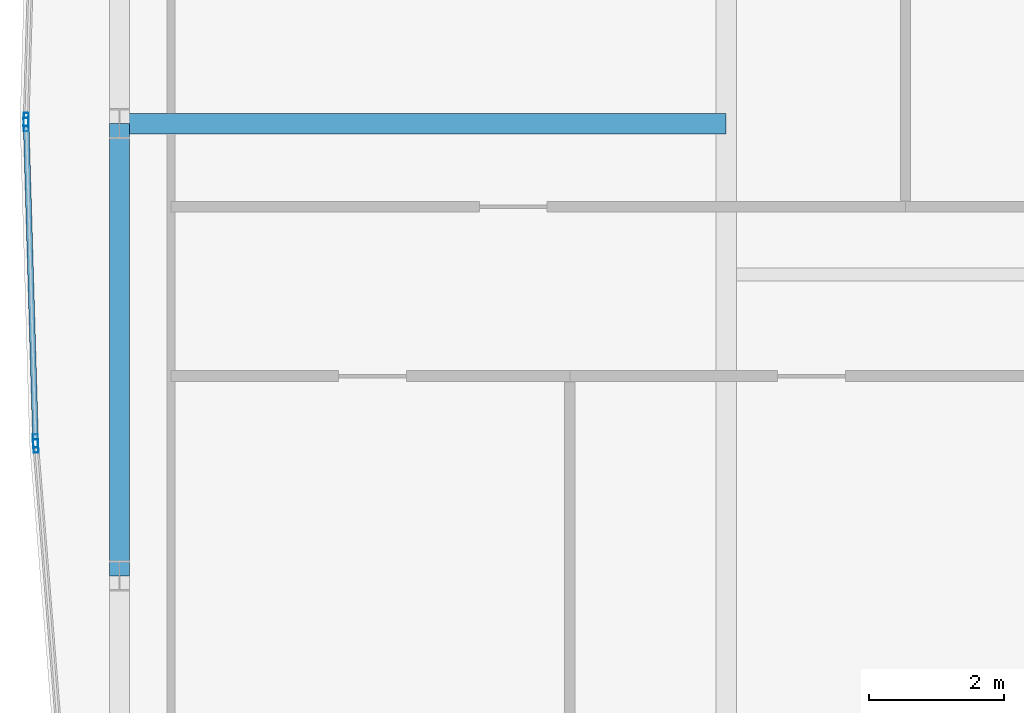
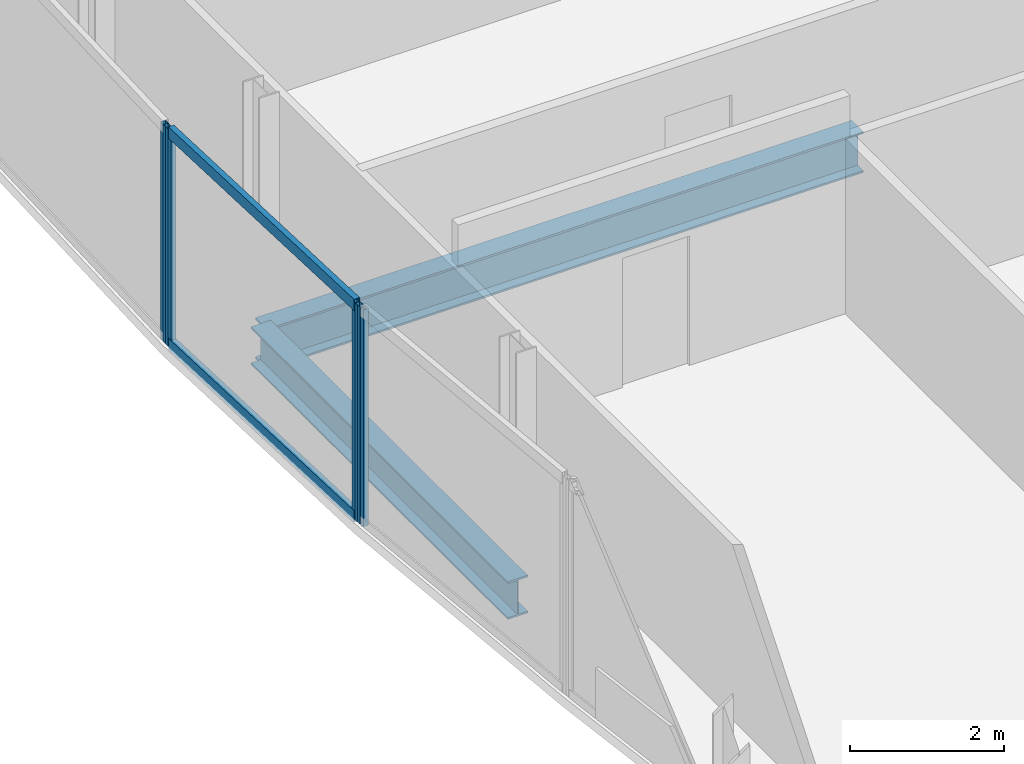
# One storey, part 10 of 29: 6 members, 2 beams, 3 elements without a shape of their own.
"""IFC4 building model written with IfcOpenShell, lengths in metres."""

from ifc_helpers import new_model, si_unit, direction, frame, origin, origin_2d, place, context, subcontext, project, spatial, hollow_rectangle, i_section, extrude, material, material_profile, profile_set, type_object, element, aggregate, save


model = new_model("IFC4")

# Units and contexts
model_context = context("Model", 3, precision=1e-05, world=origin(), true_north=direction((0.0, 1.0)))
body_context = subcontext(model_context, "Body", "Model", "MODEL_VIEW")
ifc_project = project(units=[si_unit("LENGTHUNIT", "METRE"), si_unit("AREAUNIT", "SQUARE_METRE"), si_unit("VOLUMEUNIT", "CUBIC_METRE"), si_unit("PLANEANGLEUNIT", "RADIAN"), si_unit("MASSUNIT", "GRAM", prefix="KILO")], contexts=[model_context])

# Site, building, storey
site_placement = place(None, origin())
site = spatial("IfcSite", under=ifc_project, at=site_placement, CompositionType="ELEMENT")
building_placement = place(site_placement, origin())
building = spatial("IfcBuilding", under=site, at=building_placement, Name="Khoronbel Lancet Exchange", CompositionType="ELEMENT")
storey_placement = place(building_placement, frame((0.0, 0.0, 242.60009765625)))
storey = spatial("IfcBuildingStorey", under=building, at=storey_placement, Name="L62", CompositionType="ELEMENT", Elevation=242.60009765625)

# Beams
ifc_material_1 = material(Name="Steel S355", Category="steel")
ifc_material_profile_1 = material_profile(ifc_material_1, i_section(OverallWidth=0.300048828125, OverallDepth=0.64990234375, WebThickness=0.01611328125, FlangeThickness=0.031005859375, at=origin_2d()), Name="HEB 650")
ifc_profile_set_1 = profile_set([ifc_material_profile_1], Name="Steel S355")
beam_type_1 = type_object("IfcBeamType", Name="BM-BG4", PredefinedType="BEAM", material=ifc_profile_set_1)
beam_1_placement = place(storey_placement, frame((9.27001953125, 31.425048828125, -0.485107421875), z_axis=(1.0, 0.0, 0.0), x_axis=(0.0, 1.0, 0.0)))
element("IfcBeam", 1, at=beam_1_placement, inside=storey, type_object=beam_type_1, Name="Level L62 west lens tie girder LG2W", PredefinedType="BEAM", context=body_context, shape_type="SweptSolid", body=[
    extrude(i_section(OverallWidth=0.300048828125, OverallDepth=0.64990234375, WebThickness=0.01611328125, FlangeThickness=0.031005859375, at=origin_2d()), origin(), (0.0, 0.0, 1.0), 8.955078125),
])
ifc_material_profile_2 = material_profile(ifc_material_1, i_section(OverallWidth=0.300048828125, OverallDepth=0.60009765625, WebThickness=0.015380859375, FlangeThickness=0.030029296875, at=origin_2d()), Name="HEB 600")
ifc_profile_set_2 = profile_set([ifc_material_profile_2], Name="Steel S355")
beam_type_2 = type_object("IfcBeamType", Name="BM-BSP2", PredefinedType="SPANDREL", material=ifc_profile_set_2)
beam_2_placement = place(storey_placement, frame((9.27001953125, 31.425048828125, -0.460205078125), z_axis=(0.0, -1.0, 0.0), x_axis=(1.0, 0.0, 0.0)))
element("IfcBeam", 2, at=beam_2_placement, inside=storey, type_object=beam_type_2, Name="Level L62 perimeter spandrel beam SP19", PredefinedType="SPANDREL", context=body_context, shape_type="SweptSolid", body=[
    extrude(i_section(OverallWidth=0.300048828125, OverallDepth=0.60009765625, WebThickness=0.015380859375, FlangeThickness=0.030029296875, at=origin_2d()), origin(), (0.0, 0.0, 1.0), 6.675048828125),
])

# Curtain wall, member
ifc_material_2 = material(Name="Low-E Solar Control Insulating Glass", Category="glass")
curtain_wall_type = type_object("IfcCurtainWallType", Name="CW-4", PredefinedType="NOTDEFINED", material=ifc_material_2)
curtain_wall_1_placement = place(storey_placement, origin())
curtain_wall_1 = element("IfcCurtainWall", 3, at=curtain_wall_1_placement, inside=storey, type_object=curtain_wall_type, Name="Unitised curtain wall CW-L62-E05", PredefinedType="NOTDEFINED")
ifc_material_3 = material(Name="Bronze-Anodised Aluminium 6063-T6", Category="aluminium")
ifc_material_profile_3 = material_profile(ifc_material_3, hollow_rectangle(XDim=0.074951171875, YDim=0.199951171875, WallThickness=0.0048828125, at=origin_2d()), Name="ALU MULLION 75x200")
ifc_profile_set_3 = profile_set([ifc_material_profile_3], Name="Bronze-Anodised Aluminium 6063-T6")
member_type_1 = type_object("IfcMemberType", Name="MEM-CWM2", PredefinedType="MULLION", material=ifc_profile_set_3)
member_1_placement = place(storey_placement, frame((8.03369140625, 26.667724609375, 0.0), z_axis=(0.0, 0.0, 1.0), x_axis=(-0.996743296731, -0.080639943095, 0.0)))
member_1 = element("IfcMember", 4, at=member_1_placement, type_object=member_type_1, Name="CW4 mullion 2", PredefinedType="MULLION", context=body_context, shape_type="SweptSolid", body=[
    extrude(hollow_rectangle(XDim=0.074951171875, YDim=0.199951171875, WallThickness=0.0048828125, at=origin_2d()), origin(), (0.0, 0.0, 1.0), 3.43994140625),
])
aggregate(curtain_wall_1, [member_1])

# Curtain wall, members
curtain_wall_2_placement = place(storey_placement, origin())
curtain_wall_2 = element("IfcCurtainWall", 5, at=curtain_wall_2_placement, inside=storey, type_object=curtain_wall_type, Name="Unitised curtain wall CW-L62-E06", PredefinedType="NOTDEFINED")
member_2_placement = place(storey_placement, frame((8.029541015625, 26.742431640625, 0.0), z_axis=(0.0, 0.0, 1.0), x_axis=(-0.999561285143, -0.029618191076, 0.0)))
member_2 = element("IfcMember", 6, at=member_2_placement, type_object=member_type_1, Name="CW4 mullion 1", PredefinedType="MULLION", context=body_context, shape_type="SweptSolid", body=[
    extrude(hollow_rectangle(XDim=0.074951171875, YDim=0.199951171875, WallThickness=0.0048828125, at=origin_2d()), origin(), (0.0, 0.0, 1.0), 3.43994140625),
])
member_3_placement = place(storey_placement, frame((7.89111328125, 31.41259765625, 0.0), z_axis=(0.0, 0.0, 1.0), x_axis=(-0.999561285143, -0.029618191076, 0.0)))
member_3 = element("IfcMember", 7, at=member_3_placement, type_object=member_type_1, Name="CW4 mullion 2", PredefinedType="MULLION", context=body_context, shape_type="SweptSolid", body=[
    extrude(hollow_rectangle(XDim=0.074951171875, YDim=0.199951171875, WallThickness=0.0048828125, at=origin_2d()), origin(), (0.0, 0.0, 1.0), 3.43994140625),
])

# Curtain wall, member
curtain_wall_3_placement = place(storey_placement, origin())
curtain_wall_3 = element("IfcCurtainWall", 8, at=curtain_wall_3_placement, inside=storey, type_object=curtain_wall_type, Name="Unitised curtain wall CW-L62-E07", PredefinedType="NOTDEFINED")
member_4_placement = place(storey_placement, frame((7.89111328125, 31.487548828125, 0.0), z_axis=(0.0, 0.0, 1.0), x_axis=(-0.999561285143, 0.029618191076, 0.0)))
member_4 = element("IfcMember", 9, at=member_4_placement, type_object=member_type_1, Name="CW4 mullion 1", PredefinedType="MULLION", context=body_context, shape_type="SweptSolid", body=[
    extrude(hollow_rectangle(XDim=0.074951171875, YDim=0.199951171875, WallThickness=0.0048828125, at=origin_2d()), origin(), (0.0, 0.0, 1.0), 3.43994140625),
])
aggregate(curtain_wall_3, [member_4])

# Member
ifc_material_profile_4 = material_profile(ifc_material_3, hollow_rectangle(XDim=0.0849609375, YDim=0.179931640625, WallThickness=0.0048828125, at=origin_2d()), Name="ALU TRANSOM 85x180")
ifc_profile_set_4 = profile_set([ifc_material_profile_4], Name="Bronze-Anodised Aluminium 6063-T6")
member_type_2 = type_object("IfcMemberType", Name="MEM-CWT1", PredefinedType="USERDEFINED", material=ifc_profile_set_4)
member_5_placement = place(storey_placement, frame((8.0283203125, 26.780029296875, 0.04248046875), z_axis=(-0.029581650207, 0.999562367224, 0.0), x_axis=(-0.999562367224, -0.029581650207, 0.0)))
member_5 = element("IfcMember", 10, at=member_5_placement, type_object=member_type_2, Name="CW4 transom 1.1", ObjectType="TRANSOM", PredefinedType="USERDEFINED", context=body_context, shape_type="SweptSolid", body=[
    extrude(hollow_rectangle(XDim=0.0849609375, YDim=0.179931640625, WallThickness=0.0048828125, at=origin_2d()), origin(), (0.0, 0.0, 1.0), 4.596923828125),
])

member_6_placement = place(storey_placement, frame((8.0283203125, 26.780029296875, 3.3974609375), z_axis=(-0.029581650207, 0.999562367224, 0.0), x_axis=(-0.999562367224, -0.029581650207, 0.0)))
member_6 = element("IfcMember", 11, at=member_6_placement, type_object=member_type_2, Name="CW4 transom 1.2", ObjectType="TRANSOM", PredefinedType="USERDEFINED", context=body_context, shape_type="SweptSolid", body=[
    extrude(hollow_rectangle(XDim=0.0849609375, YDim=0.179931640625, WallThickness=0.0048828125, at=origin_2d()), origin(), (0.0, 0.0, 1.0), 4.596923828125),
])

aggregate(curtain_wall_2, [member_2, member_3, member_5, member_6])

save(model, "model.ifc")
